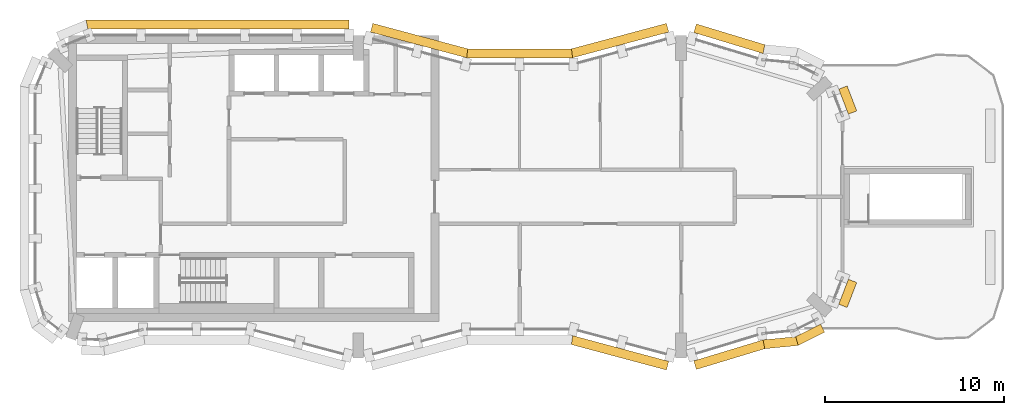
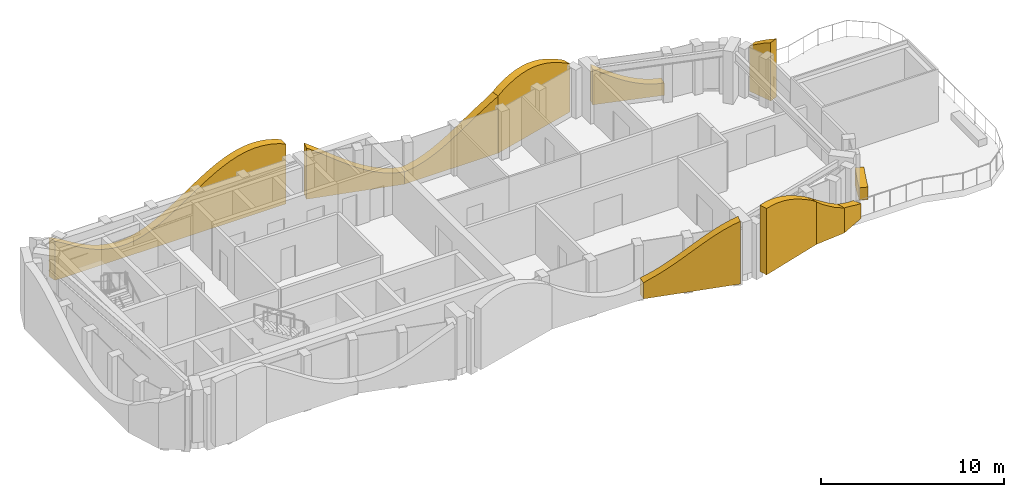
# One storey, part 8 of 9: 11 coverings.
"""IFC4 building model written with IfcOpenShell, lengths in metres."""

from ifc_helpers import new_model, si_unit, direction, frame, origin, place, context, subcontext, project, spatial, faceted_brep, material, layer, layer_set, type_object, element, save


model = new_model("IFC4")

# Units and contexts
model_context = context("Model", 3, precision=1e-05, world=origin(), true_north=direction((0.0, 1.0)))
body_context = subcontext(model_context, "Body", "Model", "MODEL_VIEW")
ifc_project = project(units=[si_unit("LENGTHUNIT", "METRE"), si_unit("AREAUNIT", "SQUARE_METRE"), si_unit("VOLUMEUNIT", "CUBIC_METRE"), si_unit("PLANEANGLEUNIT", "RADIAN"), si_unit("MASSUNIT", "GRAM", prefix="KILO")], contexts=[model_context])

# Site, building, storey
site_placement = place(None, origin())
site = spatial("IfcSite", under=ifc_project, at=site_placement, CompositionType="ELEMENT")
building_placement = place(site_placement, origin())
building = spatial("IfcBuilding", under=site, at=building_placement, Name="Plateau Cross Towers", CompositionType="ELEMENT")
storey_placement = place(building_placement, frame((0.0, 0.0, 287.89990234375)))
storey = spatial("IfcBuildingStorey", under=building, at=storey_placement, Name="L76 Crown 1", CompositionType="ELEMENT", Elevation=287.89990234375)

# Coverings
ifc_material = material(Name="Anodised aluminium fascia", Category="aluminium")
ifc_layer = layer(ifc_material, 0.5)
ifc_layer_set = layer_set([ifc_layer], Name="Anodised aluminium fascia")
covering_type = type_object("IfcCoveringType", Name="Crown fascia panel 500", PredefinedType="CLADDING", material=ifc_layer_set)
covering_1_placement = place(storey_placement, origin())
element("IfcCovering", 1, at=covering_1_placement, inside=storey, type_object=covering_type, Name="Crown fascia panel bottom", PredefinedType="CLADDING", context=body_context, shape_type="Brep", body=[
    faceted_brep([(29.953857421875, 1.2568359375, 0.0), (29.953857421875, 1.2568359375, 1.07373046875), (30.359619140625, 1.148193359375, 1.2548828125), (30.359619140625, 1.148193359375, 0.0), (29.88818359375, 0.7568359375, 0.0), (30.23046875, 0.665283203125, 0.0), (30.23046875, 0.665283203125, 1.2548828125), (29.88818359375, 0.7568359375, 1.07373046875), (30.81005859375, 1.027587890625, 1.47705078125), (30.81005859375, 1.027587890625, 0.0), (30.6806640625, 0.544677734375, 0.0), (30.6806640625, 0.544677734375, 1.47705078125), (31.26025390625, 0.906982421875, 1.73388671875), (31.26025390625, 0.906982421875, 0.0), (31.130859375, 0.424072265625, 0.0), (31.130859375, 0.424072265625, 1.73388671875), (31.71044921875, 0.786376953125, 2.017578125), (31.71044921875, 0.786376953125, 0.0), (31.5810546875, 0.303466796875, 0.0), (31.5810546875, 0.303466796875, 2.017578125), (32.16064453125, 0.665771484375, 2.319580078125), (32.16064453125, 0.665771484375, 0.0), (32.031494140625, 0.182861328125, 0.0), (32.031494140625, 0.182861328125, 2.319580078125), (32.611083984375, 0.545166015625, 2.630615234375), (32.611083984375, 0.545166015625, 0.0), (32.481689453125, 0.062255859375, 0.0), (32.481689453125, 0.062255859375, 2.630615234375), (33.061279296875, 0.4248046875, 2.941650390625), (33.061279296875, 0.4248046875, 0.0), (32.931884765625, -0.058349609375, 0.0), (32.931884765625, -0.058349609375, 2.941650390625), (33.511474609375, 0.30419921875, 3.242919921875), (33.511474609375, 0.30419921875, 0.0), (33.382080078125, -0.178955078125, 0.0), (33.382080078125, -0.178955078125, 3.242919921875), (33.9619140625, 0.18359375, 3.52587890625), (33.9619140625, 0.18359375, 0.0), (33.83251953125, -0.299560546875, 0.0), (33.83251953125, -0.299560546875, 3.52587890625), (34.412109375, 0.06298828125, 3.781494140625), (34.412109375, 0.06298828125, 0.0), (34.28271484375, -0.419921875, 0.0), (34.28271484375, -0.419921875, 3.781494140625), (34.8623046875, -0.0576171875, 4.00244140625), (34.8623046875, -0.0576171875, 0.0), (34.73291015625, -0.54052734375, 0.0), (34.73291015625, -0.54052734375, 4.00244140625), (35.3125, -0.17822265625, 4.181884765625), (35.3125, -0.17822265625, 0.0), (35.183349609375, -0.6611328125, 0.0), (35.183349609375, -0.6611328125, 4.181884765625)], [[[0, 1, 2, 3]], [[4, 5, 6, 7]], [[0, 3, 5, 4]], [[1, 7, 6, 2]], [[3, 2, 8, 9]], [[5, 10, 11, 6]], [[3, 9, 10, 5]], [[2, 6, 11, 8]], [[9, 8, 12, 13]], [[10, 14, 15, 11]], [[9, 13, 14, 10]], [[8, 11, 15, 12]], [[13, 12, 16, 17]], [[14, 18, 19, 15]], [[13, 17, 18, 14]], [[12, 15, 19, 16]], [[17, 16, 20, 21]], [[18, 22, 23, 19]], [[17, 21, 22, 18]], [[16, 19, 23, 20]], [[21, 20, 24, 25]], [[22, 26, 27, 23]], [[21, 25, 26, 22]], [[20, 23, 27, 24]], [[25, 24, 28, 29]], [[26, 30, 31, 27]], [[25, 29, 30, 26]], [[24, 27, 31, 28]], [[29, 28, 32, 33]], [[30, 34, 35, 31]], [[29, 33, 34, 30]], [[28, 31, 35, 32]], [[33, 32, 36, 37]], [[34, 38, 39, 35]], [[33, 37, 38, 34]], [[32, 35, 39, 36]], [[37, 36, 40, 41]], [[38, 42, 43, 39]], [[37, 41, 42, 38]], [[36, 39, 43, 40]], [[41, 40, 44, 45]], [[42, 46, 47, 43]], [[41, 45, 46, 42]], [[40, 43, 47, 44]], [[45, 44, 48, 49]], [[46, 50, 51, 47]], [[45, 49, 50, 46]], [[44, 47, 51, 48]], [[0, 4, 7, 1]], [[49, 48, 51, 50]]]),
])
covering_2_placement = place(storey_placement, origin())
element("IfcCovering", 2, at=covering_2_placement, inside=storey, type_object=covering_type, Name="Crown fascia panel bottom", PredefinedType="CLADDING", context=body_context, shape_type="Brep", body=[
    faceted_brep([(36.70703125, -0.151611328125, 0.0), (36.70703125, -0.151611328125, 4.421875), (37.1396484375, -0.0205078125, 4.41455078125), (37.1396484375, -0.0205078125, 0.0), (36.85205078125, -0.630126953125, 0.0), (37.28466796875, -0.4990234375, 0.0), (37.28466796875, -0.4990234375, 4.41455078125), (36.85205078125, -0.630126953125, 4.421875), (37.572509765625, 0.110595703125, 4.3564453125), (37.572509765625, 0.110595703125, 0.0), (37.71728515625, -0.367919921875, 0.0), (37.71728515625, -0.367919921875, 4.3564453125), (38.005126953125, 0.24169921875, 4.24951171875), (38.005126953125, 0.24169921875, 0.0), (38.150146484375, -0.23681640625, 0.0), (38.150146484375, -0.23681640625, 4.24951171875), (38.43798828125, 0.372802734375, 4.096435546875), (38.43798828125, 0.372802734375, 0.0), (38.582763671875, -0.105712890625, 0.0), (38.582763671875, -0.105712890625, 4.096435546875), (38.87060546875, 0.50390625, 3.901611328125), (38.87060546875, 0.50390625, 0.0), (39.015625, 0.025390625, 0.0), (39.015625, 0.025390625, 3.901611328125), (39.30322265625, 0.635009765625, 3.6708984375), (39.30322265625, 0.635009765625, 0.0), (39.4482421875, 0.156494140625, 0.0), (39.4482421875, 0.156494140625, 3.6708984375), (39.736083984375, 0.76611328125, 3.410400390625), (39.736083984375, 0.76611328125, 0.0), (39.881103515625, 0.28759765625, 0.0), (39.881103515625, 0.28759765625, 3.410400390625), (40.168701171875, 0.897216796875, 3.1279296875), (40.168701171875, 0.897216796875, 0.0), (40.313720703125, 0.418701171875, 0.0), (40.313720703125, 0.418701171875, 3.1279296875), (40.568359375, 1.018310546875, 2.8310546875), (40.568359375, 1.018310546875, 0.0), (40.665771484375, 0.525390625, 0.0), (40.665771484375, 0.525390625, 2.8310546875)], [[[0, 1, 2, 3]], [[4, 5, 6, 7]], [[0, 3, 5, 4]], [[1, 7, 6, 2]], [[3, 2, 8, 9]], [[5, 10, 11, 6]], [[3, 9, 10, 5]], [[2, 6, 11, 8]], [[9, 8, 12, 13]], [[10, 14, 15, 11]], [[9, 13, 14, 10]], [[8, 11, 15, 12]], [[13, 12, 16, 17]], [[14, 18, 19, 15]], [[13, 17, 18, 14]], [[12, 15, 19, 16]], [[17, 16, 20, 21]], [[18, 22, 23, 19]], [[17, 21, 22, 18]], [[16, 19, 23, 20]], [[21, 20, 24, 25]], [[22, 26, 27, 23]], [[21, 25, 26, 22]], [[20, 23, 27, 24]], [[25, 24, 28, 29]], [[26, 30, 31, 27]], [[25, 29, 30, 26]], [[24, 27, 31, 28]], [[29, 28, 32, 33]], [[30, 34, 35, 31]], [[29, 33, 34, 30]], [[28, 31, 35, 32]], [[33, 32, 36, 37]], [[34, 38, 39, 35]], [[33, 37, 38, 34]], [[32, 35, 39, 36]], [[0, 4, 7, 1]], [[37, 36, 39, 38]]]),
])
covering_3_placement = place(storey_placement, origin())
element("IfcCovering", 3, at=covering_3_placement, inside=storey, type_object=covering_type, Name="Crown fascia panel bottom", PredefinedType="CLADDING", context=body_context, shape_type="Brep", body=[
    faceted_brep([(40.568359375, 1.018310546875, 0.0), (40.568359375, 1.018310546875, 2.8310546875), (40.981201171875, 1.058349609375, 2.530029296875), (40.981201171875, 1.058349609375, 0.0), (40.665771484375, 0.525390625, 0.0), (41.029541015625, 0.560546875, 0.0), (41.029541015625, 0.560546875, 2.530029296875), (40.665771484375, 0.525390625, 2.8310546875), (41.4287109375, 1.101806640625, 2.231689453125), (41.4287109375, 1.101806640625, 0.0), (41.47705078125, 0.60400390625, 0.0), (41.47705078125, 0.60400390625, 2.231689453125), (41.876220703125, 1.145263671875, 1.9443359375), (41.876220703125, 1.145263671875, 0.0), (41.924560546875, 0.6474609375, 0.0), (41.924560546875, 0.6474609375, 1.9443359375), (42.388671875, 1.19482421875, 1.676025390625), (42.388671875, 1.19482421875, 0.0), (42.529541015625, 0.706298828125, 0.0), (42.529541015625, 0.706298828125, 1.676025390625)], [[[0, 1, 2, 3]], [[4, 5, 6, 7]], [[0, 3, 5, 4]], [[1, 7, 6, 2]], [[3, 2, 8, 9]], [[5, 10, 11, 6]], [[3, 9, 10, 5]], [[2, 6, 11, 8]], [[9, 8, 12, 13]], [[10, 14, 15, 11]], [[9, 13, 14, 10]], [[8, 11, 15, 12]], [[13, 12, 16, 17]], [[14, 18, 19, 15]], [[13, 17, 18, 14]], [[12, 15, 19, 16]], [[0, 4, 7, 1]], [[17, 16, 19, 18]]]),
])
covering_4_placement = place(storey_placement, origin())
element("IfcCovering", 4, at=covering_4_placement, inside=storey, type_object=covering_type, Name="Crown fascia panel bottom", PredefinedType="CLADDING", context=body_context, shape_type="Brep", body=[
    faceted_brep([(42.388671875, 1.19482421875, 0.0), (42.388671875, 1.19482421875, 1.676025390625), (42.891357421875, 1.447265625, 1.410400390625), (42.891357421875, 1.447265625, 0.0), (42.529541015625, 0.706298828125, 0.0), (43.11572265625, 1.00048828125, 0.0), (43.11572265625, 1.00048828125, 1.410400390625), (42.529541015625, 0.706298828125, 1.676025390625), (43.336181640625, 1.670654296875, 1.1865234375), (43.336181640625, 1.670654296875, 0.0), (43.560302734375, 1.2236328125, 0.0), (43.560302734375, 1.2236328125, 1.1865234375), (43.78076171875, 1.893798828125, 1.01171875), (43.78076171875, 1.893798828125, 0.0), (44.005126953125, 1.447021484375, 0.0), (44.005126953125, 1.447021484375, 1.01171875)], [[[0, 1, 2, 3]], [[4, 5, 6, 7]], [[0, 3, 5, 4]], [[1, 7, 6, 2]], [[3, 2, 8, 9]], [[5, 10, 11, 6]], [[3, 9, 10, 5]], [[2, 6, 11, 8]], [[9, 8, 12, 13]], [[10, 14, 15, 11]], [[9, 13, 14, 10]], [[8, 11, 15, 12]], [[0, 4, 7, 1]], [[13, 12, 15, 14]]]),
])
covering_5_placement = place(storey_placement, origin())
element("IfcCovering", 5, at=covering_5_placement, inside=storey, type_object=covering_type, Name="Crown fascia panel bottom", PredefinedType="CLADDING", context=body_context, shape_type="Brep", body=[
    faceted_brep([(44.788818359375, 3.004638671875, 0.0), (44.788818359375, 3.004638671875, 0.826416015625), (44.968017578125, 3.46875, 0.8701171875), (44.968017578125, 3.46875, 0.0), (45.25537109375, 2.824462890625, 0.0), (45.4345703125, 3.28857421875, 0.0), (45.4345703125, 3.28857421875, 0.8701171875), (45.25537109375, 2.824462890625, 0.826416015625), (45.147216796875, 3.932861328125, 0.97412109375), (45.147216796875, 3.932861328125, 0.0), (45.61376953125, 3.752685546875, 0.0), (45.61376953125, 3.752685546875, 0.97412109375), (45.326416015625, 4.396728515625, 1.134521484375), (45.326416015625, 4.396728515625, 0.0), (45.79296875, 4.216796875, 0.0), (45.79296875, 4.216796875, 1.134521484375)], [[[0, 1, 2, 3]], [[4, 5, 6, 7]], [[0, 3, 5, 4]], [[1, 7, 6, 2]], [[3, 2, 8, 9]], [[5, 10, 11, 6]], [[3, 9, 10, 5]], [[2, 6, 11, 8]], [[9, 8, 12, 13]], [[10, 14, 15, 11]], [[9, 13, 14, 10]], [[8, 11, 15, 12]], [[0, 4, 7, 1]], [[13, 12, 15, 14]]]),
])
covering_6_placement = place(storey_placement, origin())
element("IfcCovering", 6, at=covering_6_placement, inside=storey, type_object=covering_type, Name="Crown fascia panel bottom", PredefinedType="CLADDING", context=body_context, shape_type="Brep", body=[
    faceted_brep([(45.326416015625, 13.603271484375, 0.0), (45.326416015625, 13.603271484375, 3.892822265625), (45.147216796875, 14.067138671875, 3.6357421875), (45.147216796875, 14.067138671875, 0.0), (45.79296875, 13.783203125, 0.0), (45.61376953125, 14.247314453125, 0.0), (45.61376953125, 14.247314453125, 3.6357421875), (45.79296875, 13.783203125, 3.892822265625), (44.968017578125, 14.53125, 3.34375), (44.968017578125, 14.53125, 0.0), (45.4345703125, 14.71142578125, 0.0), (45.4345703125, 14.71142578125, 3.34375), (44.788818359375, 14.995361328125, 3.02734375), (44.788818359375, 14.995361328125, 0.0), (45.25537109375, 15.175537109375, 0.0), (45.25537109375, 15.175537109375, 3.02734375)], [[[0, 1, 2, 3]], [[4, 5, 6, 7]], [[0, 3, 5, 4]], [[1, 7, 6, 2]], [[3, 2, 8, 9]], [[5, 10, 11, 6]], [[3, 9, 10, 5]], [[2, 6, 11, 8]], [[9, 8, 12, 13]], [[10, 14, 15, 11]], [[9, 13, 14, 10]], [[8, 11, 15, 12]], [[0, 4, 7, 1]], [[13, 12, 15, 14]]]),
])
covering_7_placement = place(storey_placement, origin())
element("IfcCovering", 7, at=covering_7_placement, inside=storey, type_object=covering_type, Name="Crown fascia panel bottom", PredefinedType="CLADDING", context=body_context, shape_type="Brep", body=[
    faceted_brep([(40.568359375, 16.981689453125, 0.0), (40.568359375, 16.981689453125, 0.829833984375), (40.168701171875, 17.102783203125, 0.83349609375), (40.168701171875, 17.102783203125, 0.0), (40.665771484375, 17.474609375, 0.0), (40.313720703125, 17.581298828125, 0.0), (40.313720703125, 17.581298828125, 0.83349609375), (40.665771484375, 17.474609375, 0.829833984375), (39.736083984375, 17.23388671875, 0.887939453125), (39.736083984375, 17.23388671875, 0.0), (39.881103515625, 17.71240234375, 0.0), (39.881103515625, 17.71240234375, 0.887939453125), (39.30322265625, 17.364990234375, 0.99169921875), (39.30322265625, 17.364990234375, 0.0), (39.4482421875, 17.843505859375, 0.0), (39.4482421875, 17.843505859375, 0.99169921875), (38.87060546875, 17.49609375, 1.1416015625), (38.87060546875, 17.49609375, 0.0), (39.015625, 17.974609375, 0.0), (39.015625, 17.974609375, 1.1416015625), (38.43798828125, 17.627197265625, 1.333251953125), (38.43798828125, 17.627197265625, 0.0), (38.582763671875, 18.105712890625, 0.0), (38.582763671875, 18.105712890625, 1.333251953125), (38.005126953125, 17.75830078125, 1.561767578125), (38.005126953125, 17.75830078125, 0.0), (38.150146484375, 18.23681640625, 0.0), (38.150146484375, 18.23681640625, 1.561767578125), (37.572509765625, 17.889404296875, 1.8203125), (37.572509765625, 17.889404296875, 0.0), (37.71728515625, 18.367919921875, 0.0), (37.71728515625, 18.367919921875, 1.8203125), (37.1396484375, 18.0205078125, 2.101806640625), (37.1396484375, 18.0205078125, 0.0), (37.28466796875, 18.4990234375, 0.0), (37.28466796875, 18.4990234375, 2.101806640625), (36.70703125, 18.151611328125, 2.39794921875), (36.70703125, 18.151611328125, 0.0), (36.85205078125, 18.630126953125, 0.0), (36.85205078125, 18.630126953125, 2.39794921875)], [[[0, 1, 2, 3]], [[4, 5, 6, 7]], [[0, 3, 5, 4]], [[1, 7, 6, 2]], [[3, 2, 8, 9]], [[5, 10, 11, 6]], [[3, 9, 10, 5]], [[2, 6, 11, 8]], [[9, 8, 12, 13]], [[10, 14, 15, 11]], [[9, 13, 14, 10]], [[8, 11, 15, 12]], [[13, 12, 16, 17]], [[14, 18, 19, 15]], [[13, 17, 18, 14]], [[12, 15, 19, 16]], [[17, 16, 20, 21]], [[18, 22, 23, 19]], [[17, 21, 22, 18]], [[16, 19, 23, 20]], [[21, 20, 24, 25]], [[22, 26, 27, 23]], [[21, 25, 26, 22]], [[20, 23, 27, 24]], [[25, 24, 28, 29]], [[26, 30, 31, 27]], [[25, 29, 30, 26]], [[24, 27, 31, 28]], [[29, 28, 32, 33]], [[30, 34, 35, 31]], [[29, 33, 34, 30]], [[28, 31, 35, 32]], [[33, 32, 36, 37]], [[34, 38, 39, 35]], [[33, 37, 38, 34]], [[32, 35, 39, 36]], [[0, 4, 7, 1]], [[37, 36, 39, 38]]]),
])
covering_8_placement = place(storey_placement, origin())
element("IfcCovering", 8, at=covering_8_placement, inside=storey, type_object=covering_type, Name="Crown fascia panel bottom", PredefinedType="CLADDING", context=body_context, shape_type="Brep", body=[
    faceted_brep([(35.3125, 18.17822265625, 0.0), (35.3125, 18.17822265625, 3.22412109375), (34.8623046875, 18.0576171875, 3.508544921875), (34.8623046875, 18.0576171875, 0.0), (35.183349609375, 18.6611328125, 0.0), (34.73291015625, 18.54052734375, 0.0), (34.73291015625, 18.54052734375, 3.508544921875), (35.183349609375, 18.6611328125, 3.22412109375), (34.412109375, 17.93701171875, 3.76611328125), (34.412109375, 17.93701171875, 0.0), (34.28271484375, 18.419921875, 0.0), (34.28271484375, 18.419921875, 3.76611328125), (33.9619140625, 17.81640625, 3.989501953125), (33.9619140625, 17.81640625, 0.0), (33.83251953125, 18.299560546875, 0.0), (33.83251953125, 18.299560546875, 3.989501953125), (33.511474609375, 17.69580078125, 4.171875), (33.511474609375, 17.69580078125, 0.0), (33.382080078125, 18.178955078125, 0.0), (33.382080078125, 18.178955078125, 4.171875), (33.061279296875, 17.5751953125, 4.3076171875), (33.061279296875, 17.5751953125, 0.0), (32.931884765625, 18.058349609375, 0.0), (32.931884765625, 18.058349609375, 4.3076171875), (32.611083984375, 17.454833984375, 4.392822265625), (32.611083984375, 17.454833984375, 0.0), (32.481689453125, 17.937744140625, 0.0), (32.481689453125, 17.937744140625, 4.392822265625), (32.16064453125, 17.334228515625, 4.4248046875), (32.16064453125, 17.334228515625, 0.0), (32.031494140625, 17.817138671875, 0.0), (32.031494140625, 17.817138671875, 4.4248046875), (31.71044921875, 17.213623046875, 4.40283203125), (31.71044921875, 17.213623046875, 0.0), (31.5810546875, 17.696533203125, 0.0), (31.5810546875, 17.696533203125, 4.40283203125), (31.26025390625, 17.093017578125, 4.3271484375), (31.26025390625, 17.093017578125, 0.0), (31.130859375, 17.575927734375, 0.0), (31.130859375, 17.575927734375, 4.3271484375), (30.81005859375, 16.972412109375, 4.2001953125), (30.81005859375, 16.972412109375, 0.0), (30.6806640625, 17.455322265625, 0.0), (30.6806640625, 17.455322265625, 4.2001953125), (30.359619140625, 16.851806640625, 4.026123046875), (30.359619140625, 16.851806640625, 0.0), (30.23046875, 17.334716796875, 0.0), (30.23046875, 17.334716796875, 4.026123046875), (29.953857421875, 16.7431640625, 3.809814453125), (29.953857421875, 16.7431640625, 0.0), (29.88818359375, 17.2431640625, 0.0), (29.88818359375, 17.2431640625, 3.809814453125)], [[[0, 1, 2, 3]], [[4, 5, 6, 7]], [[0, 3, 5, 4]], [[1, 7, 6, 2]], [[3, 2, 8, 9]], [[5, 10, 11, 6]], [[3, 9, 10, 5]], [[2, 6, 11, 8]], [[9, 8, 12, 13]], [[10, 14, 15, 11]], [[9, 13, 14, 10]], [[8, 11, 15, 12]], [[13, 12, 16, 17]], [[14, 18, 19, 15]], [[13, 17, 18, 14]], [[12, 15, 19, 16]], [[17, 16, 20, 21]], [[18, 22, 23, 19]], [[17, 21, 22, 18]], [[16, 19, 23, 20]], [[21, 20, 24, 25]], [[22, 26, 27, 23]], [[21, 25, 26, 22]], [[20, 23, 27, 24]], [[25, 24, 28, 29]], [[26, 30, 31, 27]], [[25, 29, 30, 26]], [[24, 27, 31, 28]], [[29, 28, 32, 33]], [[30, 34, 35, 31]], [[29, 33, 34, 30]], [[28, 31, 35, 32]], [[33, 32, 36, 37]], [[34, 38, 39, 35]], [[33, 37, 38, 34]], [[32, 35, 39, 36]], [[37, 36, 40, 41]], [[38, 42, 43, 39]], [[37, 41, 42, 38]], [[36, 39, 43, 40]], [[41, 40, 44, 45]], [[42, 46, 47, 43]], [[41, 45, 46, 42]], [[40, 43, 47, 44]], [[45, 44, 48, 49]], [[46, 50, 51, 47]], [[45, 49, 50, 46]], [[44, 47, 51, 48]], [[0, 4, 7, 1]], [[49, 48, 51, 50]]]),
])
covering_9_placement = place(storey_placement, origin())
element("IfcCovering", 9, at=covering_9_placement, inside=storey, type_object=covering_type, Name="Crown fascia panel bottom", PredefinedType="CLADDING", context=body_context, shape_type="Brep", body=[
    faceted_brep([(29.953857421875, 16.7431640625, 0.0), (29.953857421875, 16.7431640625, 3.809814453125), (29.5, 16.7431640625, 3.538330078125), (29.5, 16.7431640625, 0.0), (29.88818359375, 17.2431640625, 0.0), (29.5, 17.2431640625, 0.0), (29.5, 17.2431640625, 3.538330078125), (29.88818359375, 17.2431640625, 3.809814453125), (29.0, 16.7431640625, 3.235107421875), (29.0, 16.7431640625, 0.0), (29.0, 17.2431640625, 0.0), (29.0, 17.2431640625, 3.235107421875), (28.5, 16.7431640625, 2.910888671875), (28.5, 16.7431640625, 0.0), (28.5, 17.2431640625, 0.0), (28.5, 17.2431640625, 2.910888671875), (28.0, 16.7431640625, 2.576904296875), (28.0, 16.7431640625, 0.0), (28.0, 17.2431640625, 0.0), (28.0, 17.2431640625, 2.576904296875), (27.5, 16.7431640625, 2.244384765625), (27.5, 16.7431640625, 0.0), (27.5, 17.2431640625, 0.0), (27.5, 17.2431640625, 2.244384765625), (27.0, 16.7431640625, 1.92529296875), (27.0, 16.7431640625, 0.0), (27.0, 17.2431640625, 0.0), (27.0, 17.2431640625, 1.92529296875), (26.5, 16.7431640625, 1.630126953125), (26.5, 16.7431640625, 0.0), (26.5, 17.2431640625, 0.0), (26.5, 17.2431640625, 1.630126953125), (26.0, 16.7431640625, 1.36962890625), (26.0, 16.7431640625, 0.0), (26.0, 17.2431640625, 0.0), (26.0, 17.2431640625, 1.36962890625), (25.5, 16.7431640625, 1.15234375), (25.5, 16.7431640625, 0.0), (25.5, 17.2431640625, 0.0), (25.5, 17.2431640625, 1.15234375), (25.0, 16.7431640625, 0.986328125), (25.0, 16.7431640625, 0.0), (25.0, 17.2431640625, 0.0), (25.0, 17.2431640625, 0.986328125), (24.5, 16.7431640625, 0.876708984375), (24.5, 16.7431640625, 0.0), (24.5, 17.2431640625, 0.0), (24.5, 17.2431640625, 0.876708984375), (24.046142578125, 16.7431640625, 0.82763671875), (24.046142578125, 16.7431640625, 0.0), (24.11181640625, 17.2431640625, 0.0), (24.11181640625, 17.2431640625, 0.82763671875)], [[[0, 1, 2, 3]], [[4, 5, 6, 7]], [[0, 3, 5, 4]], [[1, 7, 6, 2]], [[3, 2, 8, 9]], [[5, 10, 11, 6]], [[3, 9, 10, 5]], [[2, 6, 11, 8]], [[9, 8, 12, 13]], [[10, 14, 15, 11]], [[9, 13, 14, 10]], [[8, 11, 15, 12]], [[13, 12, 16, 17]], [[14, 18, 19, 15]], [[13, 17, 18, 14]], [[12, 15, 19, 16]], [[17, 16, 20, 21]], [[18, 22, 23, 19]], [[17, 21, 22, 18]], [[16, 19, 23, 20]], [[21, 20, 24, 25]], [[22, 26, 27, 23]], [[21, 25, 26, 22]], [[20, 23, 27, 24]], [[25, 24, 28, 29]], [[26, 30, 31, 27]], [[25, 29, 30, 26]], [[24, 27, 31, 28]], [[29, 28, 32, 33]], [[30, 34, 35, 31]], [[29, 33, 34, 30]], [[28, 31, 35, 32]], [[33, 32, 36, 37]], [[34, 38, 39, 35]], [[33, 37, 38, 34]], [[32, 35, 39, 36]], [[37, 36, 40, 41]], [[38, 42, 43, 39]], [[37, 41, 42, 38]], [[36, 39, 43, 40]], [[41, 40, 44, 45]], [[42, 46, 47, 43]], [[41, 45, 46, 42]], [[40, 43, 47, 44]], [[45, 44, 48, 49]], [[46, 50, 51, 47]], [[45, 49, 50, 46]], [[44, 47, 51, 48]], [[0, 4, 7, 1]], [[49, 48, 51, 50]]]),
])
covering_10_placement = place(storey_placement, origin())
element("IfcCovering", 10, at=covering_10_placement, inside=storey, type_object=covering_type, Name="Crown fascia panel bottom", PredefinedType="CLADDING", context=body_context, shape_type="Brep", body=[
    faceted_brep([(24.046142578125, 16.7431640625, 0.0), (24.046142578125, 16.7431640625, 0.82763671875), (23.640380859375, 16.851806640625, 0.838134765625), (23.640380859375, 16.851806640625, 0.0), (24.11181640625, 17.2431640625, 0.0), (23.76953125, 17.334716796875, 0.0), (23.76953125, 17.334716796875, 0.838134765625), (24.11181640625, 17.2431640625, 0.82763671875), (23.18994140625, 16.972412109375, 0.902099609375), (23.18994140625, 16.972412109375, 0.0), (23.3193359375, 17.455322265625, 0.0), (23.3193359375, 17.455322265625, 0.902099609375), (22.73974609375, 17.093017578125, 1.01806640625), (22.73974609375, 17.093017578125, 0.0), (22.869140625, 17.575927734375, 0.0), (22.869140625, 17.575927734375, 1.01806640625), (22.28955078125, 17.213623046875, 1.18212890625), (22.28955078125, 17.213623046875, 0.0), (22.4189453125, 17.696533203125, 0.0), (22.4189453125, 17.696533203125, 1.18212890625), (21.83935546875, 17.334228515625, 1.389892578125), (21.83935546875, 17.334228515625, 0.0), (21.968505859375, 17.817138671875, 0.0), (21.968505859375, 17.817138671875, 1.389892578125), (21.388916015625, 17.454833984375, 1.634765625), (21.388916015625, 17.454833984375, 0.0), (21.518310546875, 17.937744140625, 0.0), (21.518310546875, 17.937744140625, 1.634765625), (20.938720703125, 17.5751953125, 1.909423828125), (20.938720703125, 17.5751953125, 0.0), (21.068115234375, 18.058349609375, 0.0), (21.068115234375, 18.058349609375, 1.909423828125), (20.488525390625, 17.69580078125, 2.20556640625), (20.488525390625, 17.69580078125, 0.0), (20.617919921875, 18.178955078125, 0.0), (20.617919921875, 18.178955078125, 2.20556640625), (20.0380859375, 17.81640625, 2.51416015625), (20.0380859375, 17.81640625, 0.0), (20.16748046875, 18.299560546875, 0.0), (20.16748046875, 18.299560546875, 2.51416015625), (19.587890625, 17.93701171875, 2.826416015625), (19.587890625, 17.93701171875, 0.0), (19.71728515625, 18.419921875, 0.0), (19.71728515625, 18.419921875, 2.826416015625), (19.1376953125, 18.0576171875, 3.13232421875), (19.1376953125, 18.0576171875, 0.0), (19.26708984375, 18.54052734375, 0.0), (19.26708984375, 18.54052734375, 3.13232421875), (18.6875, 18.17822265625, 3.423095703125), (18.6875, 18.17822265625, 0.0), (18.816650390625, 18.6611328125, 0.0), (18.816650390625, 18.6611328125, 3.423095703125)], [[[0, 1, 2, 3]], [[4, 5, 6, 7]], [[0, 3, 5, 4]], [[1, 7, 6, 2]], [[3, 2, 8, 9]], [[5, 10, 11, 6]], [[3, 9, 10, 5]], [[2, 6, 11, 8]], [[9, 8, 12, 13]], [[10, 14, 15, 11]], [[9, 13, 14, 10]], [[8, 11, 15, 12]], [[13, 12, 16, 17]], [[14, 18, 19, 15]], [[13, 17, 18, 14]], [[12, 15, 19, 16]], [[17, 16, 20, 21]], [[18, 22, 23, 19]], [[17, 21, 22, 18]], [[16, 19, 23, 20]], [[21, 20, 24, 25]], [[22, 26, 27, 23]], [[21, 25, 26, 22]], [[20, 23, 27, 24]], [[25, 24, 28, 29]], [[26, 30, 31, 27]], [[25, 29, 30, 26]], [[24, 27, 31, 28]], [[29, 28, 32, 33]], [[30, 34, 35, 31]], [[29, 33, 34, 30]], [[28, 31, 35, 32]], [[33, 32, 36, 37]], [[34, 38, 39, 35]], [[33, 37, 38, 34]], [[32, 35, 39, 36]], [[37, 36, 40, 41]], [[38, 42, 43, 39]], [[37, 41, 42, 38]], [[36, 39, 43, 40]], [[41, 40, 44, 45]], [[42, 46, 47, 43]], [[41, 45, 46, 42]], [[40, 43, 47, 44]], [[45, 44, 48, 49]], [[46, 50, 51, 47]], [[45, 49, 50, 46]], [[44, 47, 51, 48]], [[0, 4, 7, 1]], [[49, 48, 51, 50]]]),
])
covering_11_placement = place(storey_placement, origin())
element("IfcCovering", 11, at=covering_11_placement, inside=storey, type_object=covering_type, Name="Crown fascia panel bottom", PredefinedType="CLADDING", context=body_context, shape_type="Brep", body=[
    faceted_brep([(17.485107421875, 18.35009765625, 0.0), (17.485107421875, 18.35009765625, 4.01416015625), (16.985595703125, 18.35009765625, 4.201904296875), (16.985595703125, 18.35009765625, 0.0), (17.485107421875, 18.85009765625, 0.0), (16.985595703125, 18.85009765625, 0.0), (16.985595703125, 18.85009765625, 4.201904296875), (17.485107421875, 18.85009765625, 4.01416015625), (16.486083984375, 18.35009765625, 4.335205078125), (16.486083984375, 18.35009765625, 0.0), (16.486083984375, 18.85009765625, 0.0), (16.486083984375, 18.85009765625, 4.335205078125), (15.986572265625, 18.35009765625, 4.40966796875), (15.986572265625, 18.35009765625, 0.0), (15.986572265625, 18.85009765625, 0.0), (15.986572265625, 18.85009765625, 4.40966796875), (15.487060546875, 18.35009765625, 4.42236328125), (15.487060546875, 18.35009765625, 0.0), (15.487060546875, 18.85009765625, 0.0), (15.487060546875, 18.85009765625, 4.42236328125), (14.987548828125, 18.35009765625, 4.373046875), (14.987548828125, 18.35009765625, 0.0), (14.987548828125, 18.85009765625, 0.0), (14.987548828125, 18.85009765625, 4.373046875), (14.488037109375, 18.35009765625, 4.263427734375), (14.488037109375, 18.35009765625, 0.0), (14.488037109375, 18.85009765625, 0.0), (14.488037109375, 18.85009765625, 4.263427734375), (13.988525390625, 18.35009765625, 4.09716796875), (13.988525390625, 18.35009765625, 0.0), (13.988525390625, 18.85009765625, 0.0), (13.988525390625, 18.85009765625, 4.09716796875), (13.4892578125, 18.35009765625, 3.880126953125), (13.4892578125, 18.35009765625, 0.0), (13.4892578125, 18.85009765625, 0.0), (13.4892578125, 18.85009765625, 3.880126953125), (12.98974609375, 18.35009765625, 3.61962890625), (12.98974609375, 18.35009765625, 0.0), (12.98974609375, 18.85009765625, 0.0), (12.98974609375, 18.85009765625, 3.61962890625), (12.490234375, 18.35009765625, 3.324951171875), (12.490234375, 18.35009765625, 0.0), (12.490234375, 18.85009765625, 0.0), (12.490234375, 18.85009765625, 3.324951171875), (11.99072265625, 18.35009765625, 3.006103515625), (11.99072265625, 18.35009765625, 0.0), (11.99072265625, 18.85009765625, 0.0), (11.99072265625, 18.85009765625, 3.006103515625), (11.4912109375, 18.35009765625, 2.674072265625), (11.4912109375, 18.35009765625, 0.0), (11.4912109375, 18.85009765625, 0.0), (11.4912109375, 18.85009765625, 2.674072265625), (10.99169921875, 18.35009765625, 2.34033203125), (10.99169921875, 18.35009765625, 0.0), (10.99169921875, 18.85009765625, 0.0), (10.99169921875, 18.85009765625, 2.34033203125), (10.4921875, 18.35009765625, 2.016357421875), (10.4921875, 18.35009765625, 0.0), (10.4921875, 18.85009765625, 0.0), (10.4921875, 18.85009765625, 2.016357421875), (9.99267578125, 18.35009765625, 1.71337890625), (9.99267578125, 18.35009765625, 0.0), (9.99267578125, 18.85009765625, 0.0), (9.99267578125, 18.85009765625, 1.71337890625), (9.4931640625, 18.35009765625, 1.44189453125), (9.4931640625, 18.35009765625, 0.0), (9.4931640625, 18.85009765625, 0.0), (9.4931640625, 18.85009765625, 1.44189453125), (8.993896484375, 18.35009765625, 1.21142578125), (8.993896484375, 18.35009765625, 0.0), (8.993896484375, 18.85009765625, 0.0), (8.993896484375, 18.85009765625, 1.21142578125), (8.494384765625, 18.35009765625, 1.02978515625), (8.494384765625, 18.35009765625, 0.0), (8.494384765625, 18.85009765625, 0.0), (8.494384765625, 18.85009765625, 1.02978515625), (7.994873046875, 18.35009765625, 0.903076171875), (7.994873046875, 18.35009765625, 0.0), (7.994873046875, 18.85009765625, 0.0), (7.994873046875, 18.85009765625, 0.903076171875), (7.495361328125, 18.35009765625, 0.8359375), (7.495361328125, 18.35009765625, 0.0), (7.495361328125, 18.85009765625, 0.0), (7.495361328125, 18.85009765625, 0.8359375), (6.995849609375, 18.35009765625, 0.830322265625), (6.995849609375, 18.35009765625, 0.0), (6.995849609375, 18.85009765625, 0.0), (6.995849609375, 18.85009765625, 0.830322265625), (6.496337890625, 18.35009765625, 0.886962890625), (6.496337890625, 18.35009765625, 0.0), (6.496337890625, 18.85009765625, 0.0), (6.496337890625, 18.85009765625, 0.886962890625), (5.996826171875, 18.35009765625, 1.00341796875), (5.996826171875, 18.35009765625, 0.0), (5.996826171875, 18.85009765625, 0.0), (5.996826171875, 18.85009765625, 1.00341796875), (5.497314453125, 18.35009765625, 1.176025390625), (5.497314453125, 18.35009765625, 0.0), (5.497314453125, 18.85009765625, 0.0), (5.497314453125, 18.85009765625, 1.176025390625), (4.998046875, 18.35009765625, 1.398681640625), (4.998046875, 18.35009765625, 0.0), (4.998046875, 18.85009765625, 0.0), (4.998046875, 18.85009765625, 1.398681640625), (4.49853515625, 18.35009765625, 1.66357421875), (4.49853515625, 18.35009765625, 0.0), (4.49853515625, 18.85009765625, 0.0), (4.49853515625, 18.85009765625, 1.66357421875), (3.9990234375, 18.35009765625, 1.961669921875), (3.9990234375, 18.35009765625, 0.0), (3.9990234375, 18.85009765625, 0.0), (3.9990234375, 18.85009765625, 1.961669921875), (3.49951171875, 18.35009765625, 2.28271484375), (3.49951171875, 18.35009765625, 0.0), (3.49951171875, 18.85009765625, 0.0), (3.49951171875, 18.85009765625, 2.28271484375), (2.930419921875, 18.35009765625, 2.61572265625), (2.930419921875, 18.35009765625, 0.0), (2.830810546875, 18.85009765625, 0.0), (2.830810546875, 18.85009765625, 2.61572265625)], [[[0, 1, 2, 3]], [[4, 5, 6, 7]], [[0, 3, 5, 4]], [[1, 7, 6, 2]], [[3, 2, 8, 9]], [[5, 10, 11, 6]], [[3, 9, 10, 5]], [[2, 6, 11, 8]], [[9, 8, 12, 13]], [[10, 14, 15, 11]], [[9, 13, 14, 10]], [[8, 11, 15, 12]], [[13, 12, 16, 17]], [[14, 18, 19, 15]], [[13, 17, 18, 14]], [[12, 15, 19, 16]], [[17, 16, 20, 21]], [[18, 22, 23, 19]], [[17, 21, 22, 18]], [[16, 19, 23, 20]], [[21, 20, 24, 25]], [[22, 26, 27, 23]], [[21, 25, 26, 22]], [[20, 23, 27, 24]], [[25, 24, 28, 29]], [[26, 30, 31, 27]], [[25, 29, 30, 26]], [[24, 27, 31, 28]], [[29, 28, 32, 33]], [[30, 34, 35, 31]], [[29, 33, 34, 30]], [[28, 31, 35, 32]], [[33, 32, 36, 37]], [[34, 38, 39, 35]], [[33, 37, 38, 34]], [[32, 35, 39, 36]], [[37, 36, 40, 41]], [[38, 42, 43, 39]], [[37, 41, 42, 38]], [[36, 39, 43, 40]], [[41, 40, 44, 45]], [[42, 46, 47, 43]], [[41, 45, 46, 42]], [[40, 43, 47, 44]], [[45, 44, 48, 49]], [[46, 50, 51, 47]], [[45, 49, 50, 46]], [[44, 47, 51, 48]], [[49, 48, 52, 53]], [[50, 54, 55, 51]], [[49, 53, 54, 50]], [[48, 51, 55, 52]], [[53, 52, 56, 57]], [[54, 58, 59, 55]], [[53, 57, 58, 54]], [[52, 55, 59, 56]], [[57, 56, 60, 61]], [[58, 62, 63, 59]], [[57, 61, 62, 58]], [[56, 59, 63, 60]], [[61, 60, 64, 65]], [[62, 66, 67, 63]], [[61, 65, 66, 62]], [[60, 63, 67, 64]], [[65, 64, 68, 69]], [[66, 70, 71, 67]], [[65, 69, 70, 66]], [[64, 67, 71, 68]], [[69, 68, 72, 73]], [[70, 74, 75, 71]], [[69, 73, 74, 70]], [[68, 71, 75, 72]], [[73, 72, 76, 77]], [[74, 78, 79, 75]], [[73, 77, 78, 74]], [[72, 75, 79, 76]], [[77, 76, 80, 81]], [[78, 82, 83, 79]], [[77, 81, 82, 78]], [[76, 79, 83, 80]], [[81, 80, 84, 85]], [[82, 86, 87, 83]], [[81, 85, 86, 82]], [[80, 83, 87, 84]], [[85, 84, 88, 89]], [[86, 90, 91, 87]], [[85, 89, 90, 86]], [[84, 87, 91, 88]], [[89, 88, 92, 93]], [[90, 94, 95, 91]], [[89, 93, 94, 90]], [[88, 91, 95, 92]], [[93, 92, 96, 97]], [[94, 98, 99, 95]], [[93, 97, 98, 94]], [[92, 95, 99, 96]], [[97, 96, 100, 101]], [[98, 102, 103, 99]], [[97, 101, 102, 98]], [[96, 99, 103, 100]], [[101, 100, 104, 105]], [[102, 106, 107, 103]], [[101, 105, 106, 102]], [[100, 103, 107, 104]], [[105, 104, 108, 109]], [[106, 110, 111, 107]], [[105, 109, 110, 106]], [[104, 107, 111, 108]], [[109, 108, 112, 113]], [[110, 114, 115, 111]], [[109, 113, 114, 110]], [[108, 111, 115, 112]], [[113, 112, 116, 117]], [[114, 118, 119, 115]], [[113, 117, 118, 114]], [[112, 115, 119, 116]], [[0, 4, 7, 1]], [[117, 116, 119, 118]]]),
])

save(model, "model.ifc")
